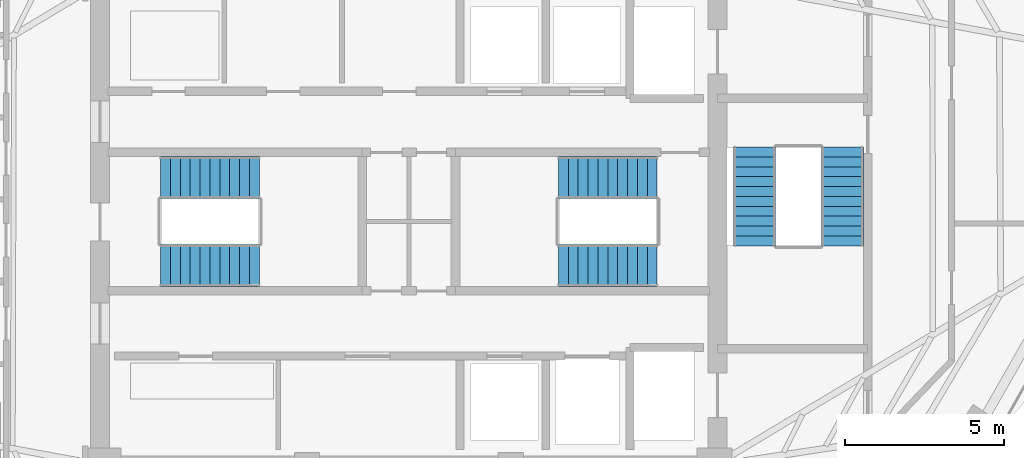
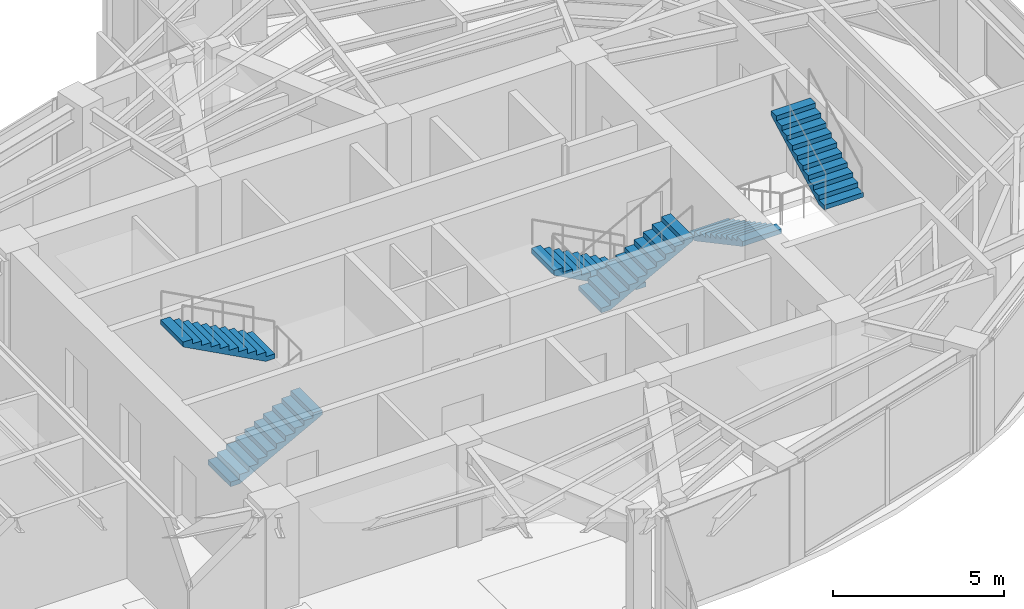
# One storey, part 21 of 23: 6 stair flights, 3 elements without a shape of their own.
"""IFC4 building model written with IfcOpenShell, lengths in metres."""

from ifc_helpers import new_model, si_unit, direction, frame, origin, place, context, subcontext, project, spatial, polyline, outline, extrude, material, type_object, element, aggregate, save


model = new_model("IFC4")

# Units and contexts
model_context = context("Model", 3, precision=1e-05, world=origin(), true_north=direction((0.0, 1.0)))
body_context = subcontext(model_context, "Body", "Model", "MODEL_VIEW")
ifc_project = project(units=[si_unit("LENGTHUNIT", "METRE"), si_unit("AREAUNIT", "SQUARE_METRE"), si_unit("VOLUMEUNIT", "CUBIC_METRE"), si_unit("PLANEANGLEUNIT", "RADIAN"), si_unit("MASSUNIT", "GRAM", prefix="KILO")], contexts=[model_context])

# Site, building, storey
site_placement = place(None, origin())
site = spatial("IfcSite", under=ifc_project, at=site_placement, CompositionType="ELEMENT")
building_placement = place(site_placement, origin())
building = spatial("IfcBuilding", under=site, at=building_placement, Name="Lazwardi Medical Tower", CompositionType="ELEMENT")
storey_placement = place(building_placement, frame((0.0, 0.0, 209.424072265625)))
storey = spatial("IfcBuildingStorey", under=building, at=storey_placement, Name="L54", CompositionType="ELEMENT", Elevation=209.424072265625)

# Stair, stair flights
ifc_material = material(Name="Concrete C45/55", Category="concrete")
stair_type = type_object("IfcStairType", Name="STR-WRD", PredefinedType="HALF_TURN_STAIR", material=ifc_material)
stair_1_placement = place(storey_placement, origin())
stair_1 = element("IfcStair", 1, at=stair_1_placement, inside=storey, type_object=stair_type, Name="L54 Protected Exit Stair ST1", PredefinedType="HALF_TURN_STAIR")
stair_flight_type = type_object("IfcStairFlightType", Name="FLT-WRD", PredefinedType="STRAIGHT", material=ifc_material)
stair_flight_1_placement = place(storey_placement, frame((28.199951171875, 26.679931640625, 0.0), z_axis=(0.0, 0.0, 1.0), x_axis=(1.0, 0.0, 0.0)))
stair_flight_1 = element("IfcStairFlight", 2, at=stair_flight_1_placement, type_object=stair_flight_type, Name="ST1 flight 1", NumberOfRisers=11, NumberOfTreads=10, PredefinedType="STRAIGHT", RiserHeight=0.165818182, TreadLength=0.31, context=body_context, shape_type="SweptSolid", body=[
    extrude(outline(polyline([(0.0, 0.0), (0.0, 0.165771484375), (0.31005859375, 0.165771484375), (0.31005859375, 0.33154296875), (0.6201171875, 0.33154296875), (0.6201171875, 0.49755859375), (0.929931640625, 0.49755859375), (0.929931640625, 0.663330078125), (1.239990234375, 0.663330078125), (1.239990234375, 0.8291015625), (1.550048828125, 0.8291015625), (1.550048828125, 0.994873046875), (1.860107421875, 0.994873046875), (1.860107421875, 1.16064453125), (2.169921875, 1.16064453125), (2.169921875, 1.32666015625), (2.47998046875, 1.32666015625), (2.47998046875, 1.492431640625), (2.7900390625, 1.492431640625), (2.7900390625, 1.658203125), (3.10009765625, 1.658203125), (3.10009765625, 1.823974609375), (3.10009765625, 1.48828125), (0.31787109375, 0.0), (0.0, 0.0)])), frame((0.0, 0.66015625, 0.0), z_axis=(0.0, -1.0, 0.0), x_axis=(1.0, 0.0, 0.0)), (0.0, 0.0, 1.0), 1.320068359375),
])
stair_flight_2_placement = place(storey_placement, frame((31.300048828125, 29.43994140625, 1.823974609375), z_axis=(0.0, 0.0, 1.0), x_axis=(-1.0, 0.0, 0.0)))
stair_flight_2 = element("IfcStairFlight", 3, at=stair_flight_2_placement, type_object=stair_flight_type, Name="ST1 flight 2", NumberOfRisers=11, NumberOfTreads=10, PredefinedType="STRAIGHT", RiserHeight=0.165818182, TreadLength=0.31, context=body_context, shape_type="SweptSolid", body=[
    extrude(outline(polyline([(0.0, 0.0), (0.0, 0.165771484375), (0.31005859375, 0.165771484375), (0.31005859375, 0.33154296875), (0.6201171875, 0.33154296875), (0.6201171875, 0.49755859375), (0.929931640625, 0.49755859375), (0.929931640625, 0.663330078125), (1.239990234375, 0.663330078125), (1.239990234375, 0.8291015625), (1.550048828125, 0.8291015625), (1.550048828125, 0.994873046875), (1.860107421875, 0.994873046875), (1.860107421875, 1.16064453125), (2.169921875, 1.16064453125), (2.169921875, 1.32666015625), (2.47998046875, 1.32666015625), (2.47998046875, 1.492431640625), (2.7900390625, 1.492431640625), (2.7900390625, 1.658203125), (3.10009765625, 1.658203125), (3.10009765625, 1.823974609375), (3.10009765625, 1.48828125), (0.31787109375, 0.0), (0.0, 0.0)])), frame((0.0, 0.66015625, 0.0), z_axis=(0.0, -1.0, 0.0), x_axis=(1.0, 0.0, 0.0)), (0.0, 0.0, 1.0), 1.320068359375),
])
aggregate(stair_1, [stair_flight_1, stair_flight_2])

stair_2_placement = place(storey_placement, origin())
stair_2 = element("IfcStair", 4, at=stair_2_placement, inside=storey, type_object=stair_type, Name="L54 Protected Exit Stair ST2", PredefinedType="HALF_TURN_STAIR")
stair_flight_3_placement = place(storey_placement, frame((43.800048828125, 29.43994140625, 0.0), z_axis=(0.0, 0.0, 1.0), x_axis=(-1.0, 0.0, 0.0)))
stair_flight_3 = element("IfcStairFlight", 5, at=stair_flight_3_placement, type_object=stair_flight_type, Name="ST2 flight 1", NumberOfRisers=11, NumberOfTreads=10, PredefinedType="STRAIGHT", RiserHeight=0.165818182, TreadLength=0.31, context=body_context, shape_type="SweptSolid", body=[
    extrude(outline(polyline([(0.0, 0.0), (0.0, 0.165771484375), (0.31005859375, 0.165771484375), (0.31005859375, 0.33154296875), (0.6201171875, 0.33154296875), (0.6201171875, 0.49755859375), (0.929931640625, 0.49755859375), (0.929931640625, 0.663330078125), (1.239990234375, 0.663330078125), (1.239990234375, 0.8291015625), (1.550048828125, 0.8291015625), (1.550048828125, 0.994873046875), (1.860107421875, 0.994873046875), (1.860107421875, 1.16064453125), (2.169921875, 1.16064453125), (2.169921875, 1.32666015625), (2.47998046875, 1.32666015625), (2.47998046875, 1.492431640625), (2.7900390625, 1.492431640625), (2.7900390625, 1.658203125), (3.10009765625, 1.658203125), (3.10009765625, 1.823974609375), (3.10009765625, 1.48828125), (0.31787109375, 0.0), (0.0, 0.0)])), frame((0.0, 0.66015625, 0.0), z_axis=(0.0, -1.0, 0.0), x_axis=(1.0, 0.0, 0.0)), (0.0, 0.0, 1.0), 1.320068359375),
])
stair_flight_4_placement = place(storey_placement, frame((40.699951171875, 26.679931640625, 1.823974609375), z_axis=(0.0, 0.0, 1.0), x_axis=(1.0, 0.0, 0.0)))
stair_flight_4 = element("IfcStairFlight", 6, at=stair_flight_4_placement, type_object=stair_flight_type, Name="ST2 flight 2", NumberOfRisers=11, NumberOfTreads=10, PredefinedType="STRAIGHT", RiserHeight=0.165818182, TreadLength=0.31, context=body_context, shape_type="SweptSolid", body=[
    extrude(outline(polyline([(0.0, 0.0), (0.0, 0.165771484375), (0.31005859375, 0.165771484375), (0.31005859375, 0.33154296875), (0.6201171875, 0.33154296875), (0.6201171875, 0.49755859375), (0.929931640625, 0.49755859375), (0.929931640625, 0.663330078125), (1.239990234375, 0.663330078125), (1.239990234375, 0.8291015625), (1.550048828125, 0.8291015625), (1.550048828125, 0.994873046875), (1.860107421875, 0.994873046875), (1.860107421875, 1.16064453125), (2.169921875, 1.16064453125), (2.169921875, 1.32666015625), (2.47998046875, 1.32666015625), (2.47998046875, 1.492431640625), (2.7900390625, 1.492431640625), (2.7900390625, 1.658203125), (3.10009765625, 1.658203125), (3.10009765625, 1.823974609375), (3.10009765625, 1.48828125), (0.31787109375, 0.0), (0.0, 0.0)])), frame((0.0, 0.66015625, 0.0), z_axis=(0.0, -1.0, 0.0), x_axis=(1.0, 0.0, 0.0)), (0.0, 0.0, 1.0), 1.320068359375),
])
aggregate(stair_2, [stair_flight_3, stair_flight_4])

stair_3_placement = place(storey_placement, origin())
stair_3 = element("IfcStair", 7, at=stair_3_placement, inside=storey, type_object=stair_type, Name="L54 Protected Exit Stair ST3", PredefinedType="HALF_TURN_STAIR")
stair_flight_5_placement = place(storey_placement, frame((46.860107421875, 30.39990234375, 0.0), z_axis=(0.0, 0.0, 1.0), x_axis=(0.0, -1.0, 0.0)))
stair_flight_5 = element("IfcStairFlight", 8, at=stair_flight_5_placement, type_object=stair_flight_type, Name="ST3 flight 1", NumberOfRisers=11, NumberOfTreads=10, PredefinedType="STRAIGHT", RiserHeight=0.165818182, TreadLength=0.31, context=body_context, shape_type="SweptSolid", body=[
    extrude(outline(polyline([(0.0, 0.0), (0.0, 0.165771484375), (0.31005859375, 0.165771484375), (0.31005859375, 0.33154296875), (0.6201171875, 0.33154296875), (0.6201171875, 0.49755859375), (0.929931640625, 0.49755859375), (0.929931640625, 0.663330078125), (1.239990234375, 0.663330078125), (1.239990234375, 0.8291015625), (1.550048828125, 0.8291015625), (1.550048828125, 0.994873046875), (1.860107421875, 0.994873046875), (1.860107421875, 1.16064453125), (2.169921875, 1.16064453125), (2.169921875, 1.32666015625), (2.47998046875, 1.32666015625), (2.47998046875, 1.492431640625), (2.7900390625, 1.492431640625), (2.7900390625, 1.658203125), (3.10009765625, 1.658203125), (3.10009765625, 1.823974609375), (3.10009765625, 1.48828125), (0.31787109375, 0.0), (0.0, 0.0)])), frame((0.0, 0.66015625, 0.0), z_axis=(0.0, -1.0, 0.0), x_axis=(1.0, 0.0, 0.0)), (0.0, 0.0, 1.0), 1.320068359375),
])
stair_flight_6_placement = place(storey_placement, frame((49.6201171875, 27.300048828125, 1.823974609375), z_axis=(0.0, 0.0, 1.0), x_axis=(0.0, 1.0, 0.0)))
stair_flight_6 = element("IfcStairFlight", 9, at=stair_flight_6_placement, type_object=stair_flight_type, Name="ST3 flight 2", NumberOfRisers=11, NumberOfTreads=10, PredefinedType="STRAIGHT", RiserHeight=0.165818182, TreadLength=0.31, context=body_context, shape_type="SweptSolid", body=[
    extrude(outline(polyline([(0.0, 0.0), (0.0, 0.165771484375), (0.31005859375, 0.165771484375), (0.31005859375, 0.33154296875), (0.6201171875, 0.33154296875), (0.6201171875, 0.49755859375), (0.929931640625, 0.49755859375), (0.929931640625, 0.663330078125), (1.239990234375, 0.663330078125), (1.239990234375, 0.8291015625), (1.550048828125, 0.8291015625), (1.550048828125, 0.994873046875), (1.860107421875, 0.994873046875), (1.860107421875, 1.16064453125), (2.169921875, 1.16064453125), (2.169921875, 1.32666015625), (2.47998046875, 1.32666015625), (2.47998046875, 1.492431640625), (2.7900390625, 1.492431640625), (2.7900390625, 1.658203125), (3.10009765625, 1.658203125), (3.10009765625, 1.823974609375), (3.10009765625, 1.48828125), (0.31787109375, 0.0), (0.0, 0.0)])), frame((0.0, 0.66015625, 0.0), z_axis=(0.0, -1.0, 0.0), x_axis=(1.0, 0.0, 0.0)), (0.0, 0.0, 1.0), 1.320068359375),
])
aggregate(stair_3, [stair_flight_5, stair_flight_6])

save(model, "model.ifc")
